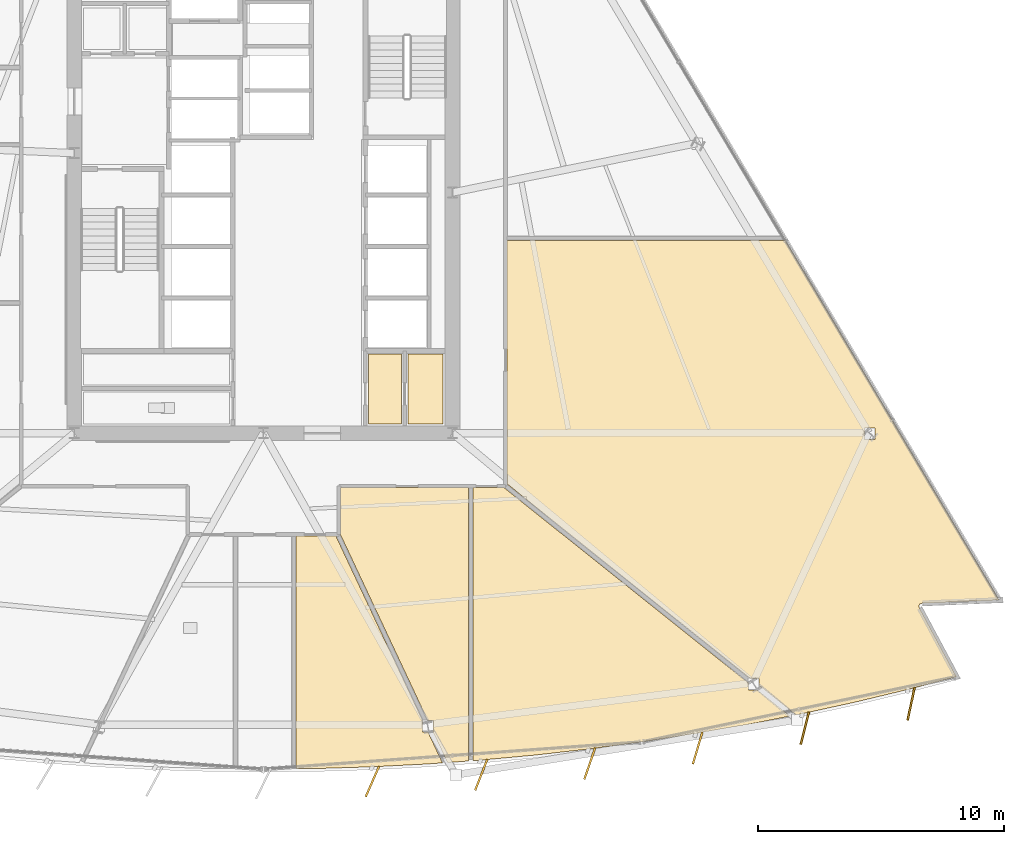
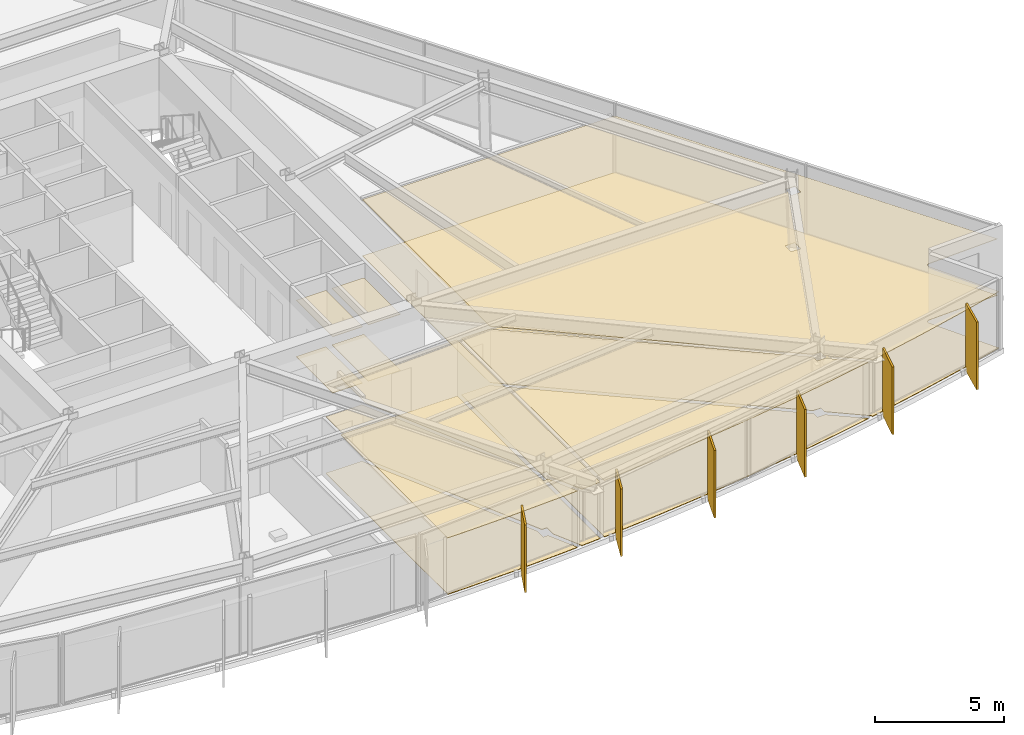
# One storey, part 15 of 18: 12 coverings, 6 shading devices.
"""IFC4 building model written with IfcOpenShell, lengths in metres."""

from ifc_helpers import new_model, si_unit, direction, frame, origin, origin_2d, place, context, subcontext, project, spatial, polyline, rectangle, outline, extrude, material, layer, layer_set, type_object, element, save


model = new_model("IFC4")

# Units and contexts
model_context = context("Model", 3, precision=1e-05, world=origin(), true_north=direction((0.0, 1.0)))
body_context = subcontext(model_context, "Body", "Model", "MODEL_VIEW")
ifc_project = project(units=[si_unit("LENGTHUNIT", "METRE"), si_unit("AREAUNIT", "SQUARE_METRE"), si_unit("VOLUMEUNIT", "CUBIC_METRE"), si_unit("PLANEANGLEUNIT", "RADIAN"), si_unit("MASSUNIT", "GRAM", prefix="KILO")], contexts=[model_context])

# Site, building, storey
site_placement = place(None, origin())
site = spatial("IfcSite", under=ifc_project, at=site_placement, CompositionType="ELEMENT")
building_placement = place(site_placement, origin())
building = spatial("IfcBuilding", under=site, at=building_placement, Name="Savorim Split Tower", CompositionType="ELEMENT")
storey_placement = place(building_placement, frame((0.0, 0.0, 44.39990234375)))
storey = spatial("IfcBuildingStorey", under=building, at=storey_placement, Name="L11", CompositionType="ELEMENT", Elevation=44.39990234375)

# Coverings
ifc_material_1 = material(Name="Mineral Fibre Acoustic Ceiling")
ifc_layer_1 = layer(ifc_material_1, 0.02490234375)
ifc_layer_set_1 = layer_set([ifc_layer_1], Name="COV-CEIL-25")
covering_type_1 = type_object("IfcCoveringType", Name="COV-CEIL-25", PredefinedType="CEILING", material=ifc_layer_set_1)
covering_1_placement = place(storey_placement, frame((0.0, 0.0, 2.670166015625)))
element("IfcCovering", 1, at=covering_1_placement, inside=storey, type_object=covering_type_1, Name="L11 Vending Pantry Acoustic Ceiling", PredefinedType="CEILING", context=body_context, shape_type="SweptSolid", body=[
    extrude(outline(polyline([(4.280029296875, -6.179931640625), (4.280029296875, -9.02001953125), (5.6201171875, -9.02001953125), (5.6201171875, -6.179931640625), (4.280029296875, -6.179931640625)])), origin(), (0.0, 0.0, 1.0), 0.02490234375),
])
covering_2_placement = place(storey_placement, frame((0.0, 0.0, 2.670166015625)))
element("IfcCovering", 2, at=covering_2_placement, inside=storey, type_object=covering_type_1, Name="L11 Recycling Chute Room Acoustic Ceiling", PredefinedType="CEILING", context=body_context, shape_type="SweptSolid", body=[
    extrude(outline(polyline([(5.8798828125, -6.179931640625), (5.8798828125, -9.02001953125), (7.320068359375, -9.02001953125), (7.320068359375, -6.179931640625), (5.8798828125, -6.179931640625)])), origin(), (0.0, 0.0, 1.0), 0.02490234375),
])
covering_3_placement = place(storey_placement, frame((0.0, 0.0, 2.670166015625)))
element("IfcCovering", 3, at=covering_3_placement, inside=storey, type_object=covering_type_1, Name="L11 Maker Workshop Acoustic Ceiling", PredefinedType="CEILING", context=body_context, shape_type="SweptSolid", body=[
    extrude(outline(polyline([(1.331298828125, -23.06640625), (2.2080078125, -23.057373046875), (4.4150390625, -22.989501953125), (6.6201171875, -22.876708984375), (7.29248046875, -22.82861328125), (6.69921875, -21.564697265625), (6.4765625, -21.564697265625), (6.4765625, -21.0986328125), (6.480224609375, -21.0986328125), (2.96728515625, -13.619384765625), (2.95361328125, -13.590087890625), (1.331298828125, -13.590087890625), (1.331298828125, -23.06640625)])), origin(), (0.0, 0.0, 1.0), 0.02490234375),
])
covering_4_placement = place(storey_placement, frame((0.0, 0.0, 2.670166015625)))
element("IfcCovering", 4, at=covering_4_placement, inside=storey, type_object=covering_type_1, Name="L11 Co-Working Commons Acoustic Ceiling", PredefinedType="CEILING", context=body_context, shape_type="SweptSolid", body=[
    extrude(outline(polyline([(6.908935546875, -21.564697265625), (7.45751953125, -22.732421875), (7.49560546875, -22.81396484375), (8.35400390625, -22.752197265625), (8.35400390625, -11.6201171875), (3.139892578125, -11.6201171875), (3.139892578125, -13.449951171875), (3.139404296875, -13.463623046875), (3.13720703125, -13.477294921875), (3.134033203125, -13.490478515625), (3.12939453125, -13.503662109375), (3.126220703125, -13.510498046875), (6.690185546875, -21.0986328125), (6.91259765625, -21.0986328125), (6.91259765625, -21.564697265625), (6.908935546875, -21.564697265625)])), origin(), (0.0, 0.0, 1.0), 0.02490234375),
])
covering_5_placement = place(storey_placement, frame((0.0, 0.0, 2.670166015625)))
element("IfcCovering", 5, at=covering_5_placement, inside=storey, type_object=covering_type_1, Name="L11 Co-Working Commons Acoustic Ceiling", PredefinedType="CEILING", context=body_context, shape_type="SweptSolid", body=[
    extrude(outline(polyline([(13.215576171875, -22.267578125), (15.404296875, -21.974853515625), (17.586181640625, -21.63720703125), (19.760986328125, -21.255126953125), (21.44580078125, -20.92333984375), (20.1142578125, -19.859619140625), (19.7568359375, -19.859619140625), (19.7568359375, -19.57421875), (9.828857421875, -11.642822265625), (9.79833984375, -11.61865234375), (9.793701171875, -11.619384765625), (9.780029296875, -11.6201171875), (8.544189453125, -11.6201171875), (8.544189453125, -22.73876953125), (8.82275390625, -22.71875), (11.021484375, -22.515625), (13.215576171875, -22.267578125)])), origin(), (0.0, 0.0, 1.0), 0.02490234375),
])
covering_6_placement = place(storey_placement, frame((0.0, 0.0, 2.670166015625)))
element("IfcCovering", 6, at=covering_6_placement, inside=storey, type_object=covering_type_1, Name="L11 Co-Working Commons Acoustic Ceiling", PredefinedType="CEILING", context=body_context, shape_type="SweptSolid", body=[
    extrude(outline(polyline([(26.79931640625, -16.3291015625), (26.810791015625, -16.328125), (29.954345703125, -16.1943359375), (21.252685546875, -1.560302734375), (9.919921875, -1.560302734375), (9.919921875, -11.47265625), (19.83544921875, -19.393798828125), (20.19287109375, -19.393798828125), (20.19287109375, -19.67919921875), (21.576171875, -20.7841796875), (21.650390625, -20.843505859375), (21.61279296875, -20.890625), (21.927490234375, -20.82861328125), (24.0849609375, -20.357666015625), (26.232177734375, -19.843017578125), (28.22216796875, -19.322509765625), (26.710205078125, -16.504638671875), (26.705322265625, -16.494384765625), (26.701416015625, -16.4833984375), (26.698486328125, -16.472412109375), (26.69677734375, -16.4609375), (26.696044921875, -16.449462890625), (26.6962890625, -16.437744140625), (26.697998046875, -16.426513671875), (26.70068359375, -16.4150390625), (26.704345703125, -16.404296875), (26.708984375, -16.393798828125), (26.714599609375, -16.383544921875), (26.721435546875, -16.374267578125), (26.72900390625, -16.365478515625), (26.7373046875, -16.357421875), (26.746337890625, -16.350341796875), (26.756103515625, -16.343994140625), (26.766357421875, -16.3388671875), (26.777099609375, -16.33447265625), (26.7880859375, -16.331298828125), (26.79931640625, -16.3291015625)]), holes=[polyline([(24.91357421875, -9.6494140625), (24.91357421875, -9.18359375), (24.4775390625, -9.18359375), (24.4775390625, -9.6494140625), (24.91357421875, -9.6494140625)])]), origin(), (0.0, 0.0, 1.0), 0.02490234375),
])
ifc_material_2 = material(Name="Porcelain Stoneware Flooring", Category="masonry")
ifc_layer_2 = layer(ifc_material_2, 0.02001953125)
ifc_layer_set_2 = layer_set([ifc_layer_2], Name="COV-FLOR-20")
covering_type_2 = type_object("IfcCoveringType", Name="COV-FLOR-20", PredefinedType="FLOORING", material=ifc_layer_set_2)
covering_7_placement = place(storey_placement, origin())
element("IfcCovering", 7, at=covering_7_placement, inside=storey, type_object=covering_type_2, Name="L11 Vending Pantry Porcelain Flooring", PredefinedType="FLOORING", context=body_context, shape_type="SweptSolid", body=[
    extrude(outline(polyline([(4.280029296875, -6.179931640625), (4.280029296875, -9.02001953125), (5.6201171875, -9.02001953125), (5.6201171875, -6.179931640625), (4.280029296875, -6.179931640625)])), origin(), (0.0, 0.0, 1.0), 0.02001953125),
])
covering_8_placement = place(storey_placement, origin())
element("IfcCovering", 8, at=covering_8_placement, inside=storey, type_object=covering_type_2, Name="L11 Recycling Chute Room Porcelain Flooring", PredefinedType="FLOORING", context=body_context, shape_type="SweptSolid", body=[
    extrude(outline(polyline([(5.8798828125, -6.179931640625), (5.8798828125, -9.02001953125), (7.320068359375, -9.02001953125), (7.320068359375, -6.179931640625), (5.8798828125, -6.179931640625)])), origin(), (0.0, 0.0, 1.0), 0.02001953125),
])
covering_9_placement = place(storey_placement, origin())
element("IfcCovering", 9, at=covering_9_placement, inside=storey, type_object=covering_type_2, Name="L11 Maker Workshop Porcelain Flooring", PredefinedType="FLOORING", context=body_context, shape_type="SweptSolid", body=[
    extrude(outline(polyline([(1.331298828125, -23.06640625), (2.2080078125, -23.057373046875), (4.4150390625, -22.989501953125), (6.6201171875, -22.876708984375), (7.29248046875, -22.82861328125), (6.69921875, -21.564697265625), (6.4765625, -21.564697265625), (6.4765625, -21.0986328125), (6.480224609375, -21.0986328125), (2.96728515625, -13.619384765625), (2.95361328125, -13.590087890625), (1.331298828125, -13.590087890625), (1.331298828125, -23.06640625)])), origin(), (0.0, 0.0, 1.0), 0.02001953125),
])
covering_10_placement = place(storey_placement, origin())
element("IfcCovering", 10, at=covering_10_placement, inside=storey, type_object=covering_type_2, Name="L11 Co-Working Commons Porcelain Flooring", PredefinedType="FLOORING", context=body_context, shape_type="SweptSolid", body=[
    extrude(outline(polyline([(6.908935546875, -21.564697265625), (7.45751953125, -22.732421875), (7.49560546875, -22.81396484375), (8.35400390625, -22.752197265625), (8.35400390625, -11.6201171875), (3.139892578125, -11.6201171875), (3.139892578125, -13.449951171875), (3.139404296875, -13.463623046875), (3.13720703125, -13.477294921875), (3.134033203125, -13.490478515625), (3.12939453125, -13.503662109375), (3.126220703125, -13.510498046875), (6.690185546875, -21.0986328125), (6.91259765625, -21.0986328125), (6.91259765625, -21.564697265625), (6.908935546875, -21.564697265625)])), origin(), (0.0, 0.0, 1.0), 0.02001953125),
])
covering_11_placement = place(storey_placement, origin())
element("IfcCovering", 11, at=covering_11_placement, inside=storey, type_object=covering_type_2, Name="L11 Co-Working Commons Porcelain Flooring", PredefinedType="FLOORING", context=body_context, shape_type="SweptSolid", body=[
    extrude(outline(polyline([(13.215576171875, -22.267578125), (15.404296875, -21.974853515625), (17.586181640625, -21.63720703125), (19.760986328125, -21.255126953125), (21.44580078125, -20.92333984375), (20.1142578125, -19.859619140625), (19.7568359375, -19.859619140625), (19.7568359375, -19.57421875), (9.828857421875, -11.642822265625), (9.79833984375, -11.61865234375), (9.793701171875, -11.619384765625), (9.780029296875, -11.6201171875), (8.544189453125, -11.6201171875), (8.544189453125, -22.73876953125), (8.82275390625, -22.71875), (11.021484375, -22.515625), (13.215576171875, -22.267578125)])), origin(), (0.0, 0.0, 1.0), 0.02001953125),
])
covering_12_placement = place(storey_placement, origin())
element("IfcCovering", 12, at=covering_12_placement, inside=storey, type_object=covering_type_2, Name="L11 Co-Working Commons Porcelain Flooring", PredefinedType="FLOORING", context=body_context, shape_type="SweptSolid", body=[
    extrude(outline(polyline([(26.79931640625, -16.3291015625), (26.810791015625, -16.328125), (29.954345703125, -16.1943359375), (21.252685546875, -1.560302734375), (9.919921875, -1.560302734375), (9.919921875, -11.47265625), (19.83544921875, -19.393798828125), (20.19287109375, -19.393798828125), (20.19287109375, -19.67919921875), (21.576171875, -20.7841796875), (21.650390625, -20.843505859375), (21.61279296875, -20.890625), (21.927490234375, -20.82861328125), (24.0849609375, -20.357666015625), (26.232177734375, -19.843017578125), (28.22216796875, -19.322509765625), (26.710205078125, -16.504638671875), (26.705322265625, -16.494384765625), (26.701416015625, -16.4833984375), (26.698486328125, -16.472412109375), (26.69677734375, -16.4609375), (26.696044921875, -16.449462890625), (26.6962890625, -16.437744140625), (26.697998046875, -16.426513671875), (26.70068359375, -16.4150390625), (26.704345703125, -16.404296875), (26.708984375, -16.393798828125), (26.714599609375, -16.383544921875), (26.721435546875, -16.374267578125), (26.72900390625, -16.365478515625), (26.7373046875, -16.357421875), (26.746337890625, -16.350341796875), (26.756103515625, -16.343994140625), (26.766357421875, -16.3388671875), (26.777099609375, -16.33447265625), (26.7880859375, -16.331298828125), (26.79931640625, -16.3291015625)]), holes=[polyline([(24.91357421875, -9.6494140625), (24.91357421875, -9.18359375), (24.4775390625, -9.18359375), (24.4775390625, -9.6494140625), (24.91357421875, -9.6494140625)])]), origin(), (0.0, 0.0, 1.0), 0.02001953125),
])

# Shading devices
ifc_material_3 = material(Name="Terracotta Ceramic-Coated Aluminium Fin", Category="masonry")
shading_device_type = type_object("IfcShadingDeviceType", Name="SHD-FIN-1360", PredefinedType="USERDEFINED", material=ifc_material_3)
for number, where, z_axis, x_axis, name in (
    (13, (4.439453125, -23.585205078125, -0.19970703125), (0.0, 0.0, 1.0), (-0.401230091723, -0.915977299662, 0.0), "L11 Sawtooth Shading Fin 08"),
    (14, (8.871337890625, -23.312744140625, -0.19970703125), (0.0, 0.0, 1.0), (-0.363415461732, -0.931627179817, 0.0), "L11 Sawtooth Shading Fin 09"),
    (15, (13.28857421875, -22.859130859375, -0.19970703125), (0.0, 0.0, 1.0), (-0.324993810493, -0.945716143005, 0.0), "L11 Sawtooth Shading Fin 10"),
    (16, (17.68359375, -22.225341796875, -0.19970703125), (0.0, 0.0, 1.0), (-0.286026212504, -0.958221793616, 0.0), "L11 Sawtooth Shading Fin 11"),
    (17, (22.048583984375, -21.412109375, -0.19970703125), (0.0, 0.0, 1.0), (-0.246581250663, -0.969122121727, 0.0), "L11 Sawtooth Shading Fin 12"),
    (18, (26.377197265625, -20.4208984375, -0.19970703125), (0.0, 0.0, 1.0), (-0.206721626106, -0.978399800337, 0.0), "L11 Sawtooth Shading Fin 13"),
):
    element("IfcShadingDevice", number, at=place(storey_placement, frame(where, z_axis=z_axis, x_axis=x_axis)), inside=storey, type_object=shading_device_type, Name=name, ObjectType="FIN", PredefinedType="USERDEFINED", context=body_context, shape_type="SweptSolid", body=[
        extrude(rectangle(XDim=1.360107421875, YDim=0.080078125, at=origin_2d()), origin(), (0.0, 0.0, 1.0), 3.199951171875),
    ])

save(model, "model.ifc")
